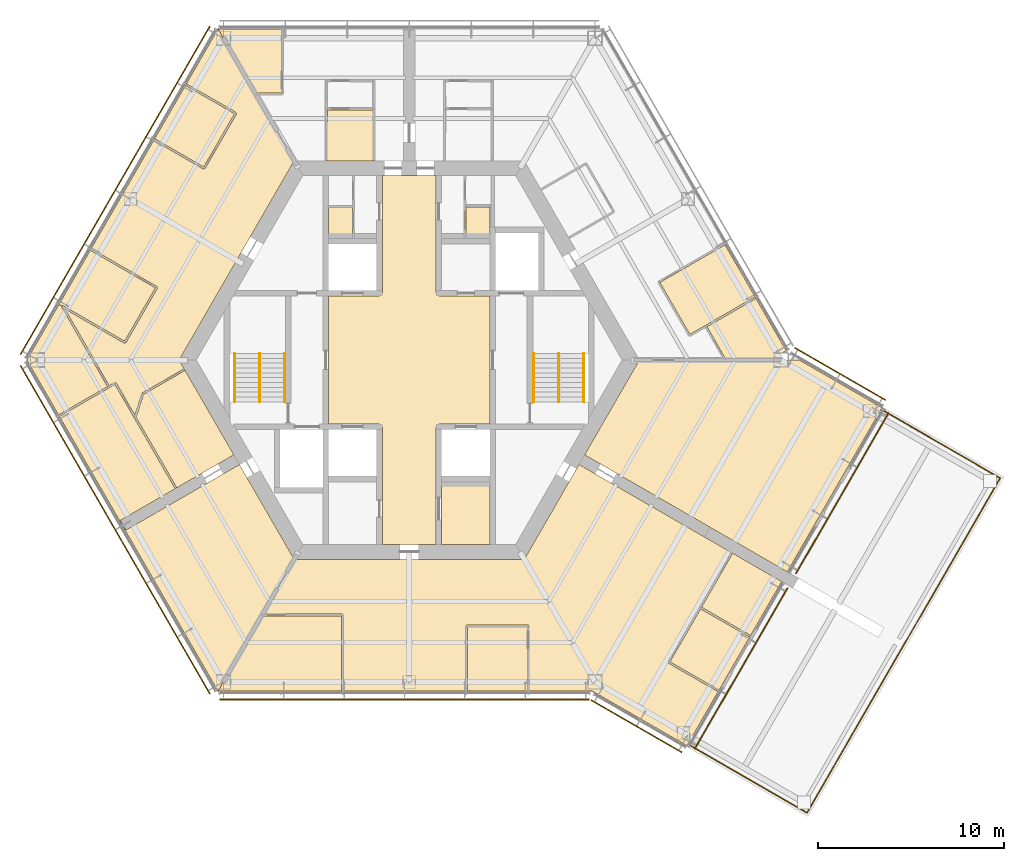
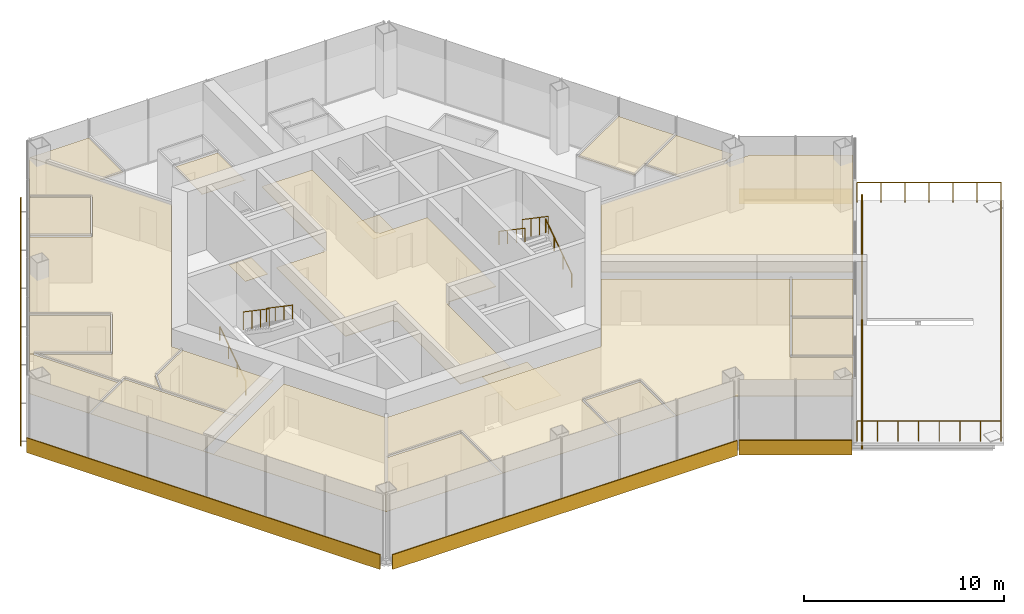
# One storey, part 12 of 13: 21 coverings, 7 railings, 7 shading devices.
"""IFC4 building model written with IfcOpenShell, lengths in metres."""

from ifc_helpers import new_model, si_unit, direction, frame, origin, origin_2d, place, context, subcontext, project, spatial, polyline, rectangle, circle, outline, extrude, material, layer, layer_set, type_object, element, save


model = new_model("IFC4")

# Units and contexts
model_context = context("Model", 3, precision=1e-05, world=origin(), true_north=direction((0.0, 1.0)))
body_context = subcontext(model_context, "Body", "Model", "MODEL_VIEW")
ifc_project = project(units=[si_unit("LENGTHUNIT", "METRE"), si_unit("AREAUNIT", "SQUARE_METRE"), si_unit("VOLUMEUNIT", "CUBIC_METRE"), si_unit("PLANEANGLEUNIT", "RADIAN"), si_unit("MASSUNIT", "GRAM", prefix="KILO")], contexts=[model_context])

# Site, building, storey
site_placement = place(None, origin())
site = spatial("IfcSite", under=ifc_project, at=site_placement, CompositionType="ELEMENT")
building_placement = place(site_placement, origin())
building = spatial("IfcBuilding", under=site, at=building_placement, Name="Kasaneha Research Tower", CompositionType="ELEMENT")
storey_placement = place(building_placement, frame((0.0, 0.0, 267.39990234375)))
storey = spatial("IfcBuildingStorey", under=building, at=storey_placement, Name="L67", CompositionType="ELEMENT", Elevation=267.39990234375)

# Covering
ifc_material_1 = material(Name="Aluminium panel ceiling", Category="aluminium")
ifc_layer_1 = layer(ifc_material_1, 0.0400390625)
ifc_layer_set_1 = layer_set([ifc_layer_1], Name="Lift lobby ceiling 40")
covering_type_1 = type_object("IfcCoveringType", Name="Lift lobby ceiling 40", PredefinedType="CEILING", material=ifc_layer_set_1)
covering_1_placement = place(storey_placement, frame((0.0, 0.0, 2.7001953125)))
element("IfcCovering", 1, at=covering_1_placement, inside=storey, type_object=covering_type_1, Name="Ceiling L67-01", PredefinedType="CEILING", context=body_context, shape_type="SweptSolid", body=[
    extrude(outline(polyline([(1.449951171875, 9.925048828125), (1.449951171875, 3.60009765625), (1.60009765625, 3.60009765625), (1.60009765625, 3.449951171875), (4.35009765625, 3.449951171875), (4.35009765625, -3.449951171875), (1.60009765625, -3.449951171875), (1.60009765625, -3.60009765625), (1.449951171875, -3.60009765625), (1.449951171875, -9.925048828125), (-1.449951171875, -9.925048828125), (-1.449951171875, -3.60009765625), (-1.60009765625, -3.60009765625), (-1.60009765625, -3.449951171875), (-4.35009765625, -3.449951171875), (-4.35009765625, 3.449951171875), (-1.60009765625, 3.449951171875), (-1.60009765625, 3.60009765625), (-1.449951171875, 3.60009765625), (-1.449951171875, 9.925048828125), (1.449951171875, 9.925048828125)])), origin(), (0.0, 0.0, 1.0), 0.039794921875),
])

# Railings
ifc_material_2 = material(Name="Steel", Category="steel")
railing_type_1 = type_object("IfcRailingType", Name="Stair balustrade 1100", PredefinedType="GUARDRAIL", material=ifc_material_2)
for number, where, name in (
    (2, (8.050048828125, 0.35009765625, 2.12744140625), "Stair 1 balustrade L67"),
    (3, (-8.050048828125, 0.35009765625, 2.12744140625), "Stair 2 balustrade L67"),
):
    element("IfcRailing", number, at=place(storey_placement, frame(where)), inside=storey, type_object=railing_type_1, Name=name, PredefinedType="GUARDRAIL", context=body_context, shape_type="SweptSolid", body=[
        extrude(circle(Radius=0.02392578125, at=origin_2d()), frame((0.0, 0.0, 1.076171875), z_axis=(0.0, -0.826240473404, 0.563317565952), x_axis=(1.0, 0.0, 0.0)), (0.0, 0.0, 1.0), 3.14697265625),
        extrude(circle(Radius=0.02099609375, at=origin_2d()), origin(), (0.0, 0.0, 1.0), 1.052001953125),
        extrude(circle(Radius=0.02099609375, at=origin_2d()), frame((0.0, -0.86669921875, 0.5908203125)), (0.0, 0.0, 1.0), 1.052001953125),
        extrude(circle(Radius=0.02099609375, at=origin_2d()), frame((0.0, -1.7333984375, 1.181884765625)), (0.0, 0.0, 1.0), 1.052001953125),
        extrude(circle(Radius=0.02099609375, at=origin_2d()), frame((0.0, -2.60009765625, 1.772705078125)), (0.0, 0.0, 1.0), 1.052001953125),
    ])
ifc_material_3 = material(Name="Steel", Category="steel")
railing_type_2 = type_object("IfcRailingType", Name="Stair handrail 850", PredefinedType="HANDRAIL", material=ifc_material_3)
railing_1_placement = place(storey_placement, frame((9.39990234375, -2.25, 0.177490234375)))
element("IfcRailing", 4, at=railing_1_placement, inside=storey, type_object=railing_type_2, Name="Stair 1 handrail L67", PredefinedType="HANDRAIL", context=body_context, shape_type="SweptSolid", body=[
    extrude(circle(Radius=0.02392578125, at=origin_2d()), frame((0.0, 0.0, 0.826171875), z_axis=(0.0, 0.826240473404, 0.563317565952), x_axis=(-1.0, 0.0, 0.0)), (0.0, 0.0, 1.0), 3.14697265625),
    extrude(circle(Radius=0.02099609375, at=origin_2d()), origin(), (0.0, 0.0, 1.0), 0.802001953125),
    extrude(circle(Radius=0.02099609375, at=origin_2d()), frame((0.0, 0.86669921875, 0.5908203125)), (0.0, 0.0, 1.0), 0.802001953125),
    extrude(circle(Radius=0.02099609375, at=origin_2d()), frame((0.0, 1.7333984375, 1.181884765625)), (0.0, 0.0, 1.0), 0.802001953125),
    extrude(circle(Radius=0.02099609375, at=origin_2d()), frame((0.0, 2.60009765625, 1.772705078125)), (0.0, 0.0, 1.0), 0.802001953125),
])
railing_2_placement = place(storey_placement, frame((6.699951171875, 0.35009765625, 2.12744140625)))
element("IfcRailing", 5, at=railing_2_placement, inside=storey, type_object=railing_type_2, Name="Stair 1 handrail L67", PredefinedType="HANDRAIL", context=body_context, shape_type="SweptSolid", body=[
    extrude(circle(Radius=0.02392578125, at=origin_2d()), frame((0.0, 0.0, 0.826171875), z_axis=(0.0, -0.826240473404, 0.563317565952), x_axis=(1.0, 0.0, 0.0)), (0.0, 0.0, 1.0), 3.14697265625),
    extrude(circle(Radius=0.02099609375, at=origin_2d()), origin(), (0.0, 0.0, 1.0), 0.802001953125),
    extrude(circle(Radius=0.02099609375, at=origin_2d()), frame((0.0, -0.86669921875, 0.5908203125)), (0.0, 0.0, 1.0), 0.802001953125),
    extrude(circle(Radius=0.02099609375, at=origin_2d()), frame((0.0, -1.7333984375, 1.181884765625)), (0.0, 0.0, 1.0), 0.802001953125),
    extrude(circle(Radius=0.02099609375, at=origin_2d()), frame((0.0, -2.60009765625, 1.772705078125)), (0.0, 0.0, 1.0), 0.802001953125),
])
railing_3_placement = place(storey_placement, frame((-9.39990234375, -2.25, 0.177490234375)))
element("IfcRailing", 6, at=railing_3_placement, inside=storey, type_object=railing_type_2, Name="Stair 2 handrail L67", PredefinedType="HANDRAIL", context=body_context, shape_type="SweptSolid", body=[
    extrude(circle(Radius=0.02392578125, at=origin_2d()), frame((0.0, 0.0, 0.826171875), z_axis=(0.0, 0.826240473404, 0.563317565952), x_axis=(-1.0, 0.0, 0.0)), (0.0, 0.0, 1.0), 3.14697265625),
    extrude(circle(Radius=0.02099609375, at=origin_2d()), origin(), (0.0, 0.0, 1.0), 0.802001953125),
    extrude(circle(Radius=0.02099609375, at=origin_2d()), frame((0.0, 0.86669921875, 0.5908203125)), (0.0, 0.0, 1.0), 0.802001953125),
    extrude(circle(Radius=0.02099609375, at=origin_2d()), frame((0.0, 1.7333984375, 1.181884765625)), (0.0, 0.0, 1.0), 0.802001953125),
    extrude(circle(Radius=0.02099609375, at=origin_2d()), frame((0.0, 2.60009765625, 1.772705078125)), (0.0, 0.0, 1.0), 0.802001953125),
])
railing_4_placement = place(storey_placement, frame((-6.699951171875, 0.35009765625, 2.12744140625)))
element("IfcRailing", 7, at=railing_4_placement, inside=storey, type_object=railing_type_2, Name="Stair 2 handrail L67", PredefinedType="HANDRAIL", context=body_context, shape_type="SweptSolid", body=[
    extrude(circle(Radius=0.02392578125, at=origin_2d()), frame((0.0, 0.0, 0.826171875), z_axis=(0.0, -0.826240473404, 0.563317565952), x_axis=(1.0, 0.0, 0.0)), (0.0, 0.0, 1.0), 3.14697265625),
    extrude(circle(Radius=0.02099609375, at=origin_2d()), origin(), (0.0, 0.0, 1.0), 0.802001953125),
    extrude(circle(Radius=0.02099609375, at=origin_2d()), frame((0.0, -0.86669921875, 0.5908203125)), (0.0, 0.0, 1.0), 0.802001953125),
    extrude(circle(Radius=0.02099609375, at=origin_2d()), frame((0.0, -1.7333984375, 1.181884765625)), (0.0, 0.0, 1.0), 0.802001953125),
    extrude(circle(Radius=0.02099609375, at=origin_2d()), frame((0.0, -2.60009765625, 1.772705078125)), (0.0, 0.0, 1.0), 0.802001953125),
])

# Coverings
ifc_material_4 = material(Name="Gypsum ceiling board", Category="gypsum")
ifc_layer_2 = layer(ifc_material_4, 0.02001953125)
ifc_layer_set_2 = layer_set([ifc_layer_2], Name="Suspended ceiling 20")
covering_type_2 = type_object("IfcCoveringType", Name="Suspended ceiling 20", PredefinedType="CEILING", material=ifc_layer_set_2)
covering_2_placement = place(storey_placement, frame((0.0, 0.0, 2.800048828125)))
element("IfcCovering", 8, at=covering_2_placement, inside=storey, type_object=covering_type_2, Name="Ceiling L67-29", PredefinedType="CEILING", context=body_context, shape_type="SweptSolid", body=[
    extrude(outline(polyline([(18.63720703125, 3.360595703125), (18.619873046875, 3.3505859375), (18.5947265625, 3.393798828125), (15.923095703125, 1.851318359375), (15.923095703125, 1.851318359375), (15.104736328125, 1.37890625), (13.4892578125, 4.177001953125), (16.988037109375, 6.197021484375), (16.963134765625, 6.240234375), (16.9716796875, 6.2451171875), (18.63720703125, 3.360595703125)])), origin(), (0.0, 0.0, 1.0), 0.02001953125),
])
covering_3_placement = place(storey_placement, frame((0.0, 0.0, 2.800048828125)))
element("IfcCovering", 9, at=covering_3_placement, inside=storey, type_object=covering_type_2, Name="Ceiling L67-30", PredefinedType="CEILING", context=body_context, shape_type="SweptSolid", body=[
    extrude(outline(polyline([(16.997802734375, 0.0), (16.986328125, 0.02001953125), (17.029541015625, 0.044921875), (16.024658203125, 1.79443359375), (18.644775390625, 3.30712890625), (18.619873046875, 3.3505859375), (18.63720703125, 3.360595703125), (20.28759765625, 0.501708984375), (19.41845703125, 0.0), (16.997802734375, 0.0)])), origin(), (0.0, 0.0, 1.0), 0.02001953125),
])
covering_4_placement = place(storey_placement, frame((0.0, 0.0, 2.800048828125)))
element("IfcCovering", 10, at=covering_4_placement, inside=storey, type_object=covering_type_2, Name="Ceiling L67-32", PredefinedType="CEILING", context=body_context, shape_type="SweptSolid", body=[
    extrude(outline(polyline([(-4.465087890625, 10.72509765625), (-4.465087890625, 10.7451171875), (-4.4150390625, 10.744873046875), (-4.410400390625, 13.469970703125), (-1.95458984375, 13.469970703125), (-1.949951171875, 10.744873046875), (-1.89990234375, 10.7451171875), (-1.89990234375, 10.72509765625), (-4.465087890625, 10.72509765625)])), origin(), (0.0, 0.0, 1.0), 0.02001953125),
])
covering_5_placement = place(storey_placement, frame((0.0, 0.0, 2.800048828125)))
element("IfcCovering", 11, at=covering_5_placement, inside=storey, type_object=covering_type_2, Name="Ceiling L67-34", PredefinedType="CEILING", context=body_context, shape_type="SweptSolid", body=[
    extrude(outline(polyline([(-6.8310546875, 17.820556640625), (-6.8310546875, 17.800537109375), (-6.880859375, 17.800537109375), (-6.880859375, 14.37060546875), (-8.244873046875, 14.37060546875), (-8.244873046875, 14.320556640625), (-8.26806640625, 14.320556640625), (-10.28857421875, 17.820556640625), (-6.8310546875, 17.820556640625)])), origin(), (0.0, 0.0, 1.0), 0.02001953125),
])
covering_6_placement = place(storey_placement, frame((0.0, 0.0, 2.800048828125)))
element("IfcCovering", 12, at=covering_6_placement, inside=storey, type_object=covering_type_2, Name="Ceiling L67-36", PredefinedType="CEILING", context=body_context, shape_type="SweptSolid", body=[
    extrude(outline(polyline([(-17.140869140625, 5.952392578125), (-17.12353515625, 5.9423828125), (-17.1484375, 5.899169921875), (-13.658203125, 3.884033203125), (-15.316162109375, 1.0126953125), (-18.642578125, 2.933349609375), (-18.66748046875, 2.89013671875), (-18.848388671875, 2.994384765625), (-17.140869140625, 5.952392578125)])), origin(), (0.0, 0.0, 1.0), 0.02001953125),
])
covering_7_placement = place(storey_placement, frame((0.0, 0.0, 2.800048828125)))
element("IfcCovering", 13, at=covering_7_placement, inside=storey, type_object=covering_type_2, Name="Ceiling L67-37", PredefinedType="CEILING", context=body_context, shape_type="SweptSolid", body=[
    extrude(outline(polyline([(-15.539794921875, -8.62548828125), (-15.539794921875, -8.62548828125), (-15.3896484375, -8.88525390625), (-15.43310546875, -8.91015625), (-18.848388671875, -2.994384765625), (-18.83984375, -2.989501953125), (-18.81494140625, -3.03271484375), (-16.134521484375, -1.4853515625), (-16.134521484375, -1.4853515625), (-15.835693359375, -1.312744140625), (-14.79248046875, -3.11962890625), (-14.79248046875, -3.11962890625), (-12.605224609375, -6.908203125), (-12.56201171875, -6.883056640625), (-12.552001953125, -6.900390625), (-15.539794921875, -8.62548828125), (-15.539794921875, -8.62548828125)])), origin(), (0.0, 0.0, 1.0), 0.02001953125),
])
covering_8_placement = place(storey_placement, frame((0.0, 0.0, 2.800048828125)))
element("IfcCovering", 14, at=covering_8_placement, inside=storey, type_object=covering_type_2, Name="Ceiling L67-38", PredefinedType="CEILING", context=body_context, shape_type="SweptSolid", body=[
    extrude(outline(polyline([(-12.639892578125, -4.75732421875), (-10.387939453125, -3.457275390625), (-9.437744140625, -5.1025390625), (-12.5517578125, -6.900390625), (-12.561767578125, -6.883056640625), (-12.5185546875, -6.858154296875), (-14.69482421875, -3.0888671875), (-14.298828125, -1.845947265625), (-12.080322265625, -0.566162109375), (-12.10546875, -0.522705078125), (-12.088134765625, -0.5126953125), (-10.38818359375, -3.457275390625), (-12.639892578125, -4.75732421875)])), origin(), (0.0, 0.0, 1.0), 0.02001953125),
])
covering_9_placement = place(storey_placement, frame((0.0, 0.0, 2.800048828125)))
element("IfcCovering", 15, at=covering_9_placement, inside=storey, type_object=covering_type_2, Name="Ceiling L67-39", PredefinedType="CEILING", context=body_context, shape_type="SweptSolid", body=[
    extrude(outline(polyline([(-12.017578125, 14.825927734375), (-12.000244140625, 14.81591796875), (-12.025146484375, 14.772705078125), (-9.401123046875, 13.2578125), (-11.058837890625, 10.386474609375), (-13.691650390625, 11.906494140625), (-13.716552734375, 11.86328125), (-13.725341796875, 11.8681640625), (-12.017578125, 14.825927734375)])), origin(), (0.0, 0.0, 1.0), 0.02001953125),
])
covering_10_placement = place(storey_placement, frame((0.0, 0.0, 2.800048828125)))
element("IfcCovering", 16, at=covering_10_placement, inside=storey, type_object=covering_type_2, Name="Ceiling L67-40", PredefinedType="CEILING", context=body_context, shape_type="SweptSolid", body=[
    extrude(outline(polyline([(-18.8486328125, 2.99462890625), (-18.667724609375, 2.889892578125), (-18.7109375, 2.864990234375), (-16.23583984375, -1.428466796875), (-18.864990234375, -2.9462890625), (-18.83984375, -2.989501953125), (-18.848388671875, -2.994384765625), (-20.577880859375, 0.000244140625), (-18.8486328125, 2.99462890625)])), origin(), (0.0, 0.0, 1.0), 0.02001953125),
])
covering_11_placement = place(storey_placement, frame((0.0, 0.0, 2.800048828125)))
element("IfcCovering", 17, at=covering_11_placement, inside=storey, type_object=covering_type_2, Name="Ceiling L67-41", PredefinedType="CEILING", context=body_context, shape_type="SweptSolid", body=[
    extrude(outline(polyline([(-14.340576171875, -1.812255859375), (-14.38818359375, -1.797119140625), (-14.762451171875, -2.9716796875), (-15.774169921875, -1.219482421875), (-15.81689453125, -1.244140625), (-15.817138671875, -1.244140625), (-15.8173828125, -1.244384765625), (-15.84228515625, -1.201171875), (-16.1494140625, -1.37841796875), (-18.53125, 2.75341796875), (-15.32275390625, 0.901123046875), (-15.298095703125, 0.944091796875), (-15.297607421875, 0.944091796875), (-15.297607421875, 0.9443359375), (-15.25439453125, 0.91943359375), (-13.546630859375, 3.87744140625), (-13.590087890625, 3.90234375), (-13.56494140625, 3.94580078125), (-17.098388671875, 5.985595703125), (-17.123291015625, 5.94287109375), (-17.140380859375, 5.952880859375), (-13.7255859375, 11.86767578125), (-13.716796875, 11.86279296875), (-13.74169921875, 11.81982421875), (-11.065673828125, 10.27490234375), (-11.040771484375, 10.31787109375), (-11.04052734375, 10.317626953125), (-11.040283203125, 10.31787109375), (-10.997314453125, 10.293212890625), (-9.28955078125, 13.2509765625), (-9.33251953125, 13.275634765625), (-9.33251953125, 13.27587890625), (-9.332763671875, 13.276123046875), (-9.307861328125, 13.3193359375), (-11.97509765625, 14.859375), (-12.0, 14.81640625), (-12.017333984375, 14.826416015625), (-10.28857421875, 17.820556640625), (-8.244873046875, 14.280517578125), (-8.244873046875, 14.2705078125), (-8.239013671875, 14.2705078125), (-6.192138671875, 10.72509765625), (-12.38427734375, 0.0), (-12.08837890625, -0.512451171875), (-12.105712890625, -0.522216796875), (-12.13037109375, -0.4794921875), (-14.365478515625, -1.76904296875), (-14.340576171875, -1.812255859375), (-14.340576171875, -1.812255859375), (-14.340576171875, -1.812255859375)])), origin(), (0.0, 0.0, 1.0), 0.02001953125),
])
covering_12_placement = place(storey_placement, frame((0.0, 0.0, 2.800048828125)))
element("IfcCovering", 18, at=covering_12_placement, inside=storey, type_object=covering_type_2, Name="Ceiling L67-42", PredefinedType="CEILING", context=body_context, shape_type="SweptSolid", body=[
    extrude(outline(polyline([(-10.004150390625, -6.122314453125), (-10.004150390625, -6.122314453125), (-9.50927734375, -5.836669921875), (-9.13818359375, -5.622314453125), (-6.192138671875, -10.72509765625), (-7.89208984375, -13.66943359375), (-7.89794921875, -13.66943359375), (-7.89794921875, -13.679443359375), (-10.28857421875, -17.820556640625), (-15.43310546875, -8.91015625), (-15.3896484375, -8.88525390625), (-15.23974609375, -9.14501953125), (-10.004150390625, -6.122314453125)])), origin(), (0.0, 0.0, 1.0), 0.02001953125),
])
covering_13_placement = place(storey_placement, frame((0.0, 0.0, 2.800048828125)))
element("IfcCovering", 19, at=covering_13_placement, inside=storey, type_object=covering_type_2, Name="Ceiling L67-43", PredefinedType="CEILING", context=body_context, shape_type="SweptSolid", body=[
    extrude(outline(polyline([(11.170166015625, -6.102783203125), (10.30419921875, -5.602783203125), (10.227783203125, -5.55859375), (9.438232421875, -5.102783203125), (12.38427734375, 0.0), (16.93994140625, 0.0), (16.94287109375, -0.0048828125), (16.951416015625, 0.0), (21.0, 0.0), (25.446044921875, -2.56689453125), (20.34619140625, -11.400390625), (12.1259765625, -6.654541015625), (11.170166015625, -6.102783203125)])), origin(), (0.0, 0.0, 1.0), 0.02001953125),
])
covering_14_placement = place(storey_placement, frame((0.0, 0.0, 2.800048828125)))
element("IfcCovering", 20, at=covering_14_placement, inside=storey, type_object=covering_type_2, Name="Ceiling L67-44", PredefinedType="CEILING", context=body_context, shape_type="SweptSolid", body=[
    extrude(outline(polyline([(-10.2890625, -17.820556640625), (-7.921142578125, -13.719482421875), (-7.89794921875, -13.719482421875), (-7.89794921875, -13.76953125), (-3.634521484375, -13.7705078125), (-3.634521484375, -17.800537109375), (-3.58447265625, -17.800537109375), (-3.58447265625, -17.820556640625), (-6.916015625, -17.821044921875), (-10.2890625, -17.820556640625)])), origin(), (0.0, 0.0, 1.0), 0.02001953125),
])
covering_15_placement = place(storey_placement, frame((0.0, 0.0, 2.800048828125)))
element("IfcCovering", 21, at=covering_15_placement, inside=storey, type_object=covering_type_2, Name="Ceiling L67-45", PredefinedType="CEILING", context=body_context, shape_type="SweptSolid", body=[
    extrude(outline(polyline([(3.077392578125, -17.820556640625), (3.077392578125, -17.800537109375), (3.12744140625, -17.800537109375), (3.12744140625, -14.37060546875), (6.3583984375, -14.37060546875), (6.3583984375, -17.800537109375), (6.408203125, -17.800537109375), (6.408203125, -17.820556640625), (3.077392578125, -17.820556640625)])), origin(), (0.0, 0.0, 1.0), 0.02001953125),
])
covering_16_placement = place(storey_placement, frame((0.0, 0.0, 2.800048828125)))
element("IfcCovering", 22, at=covering_16_placement, inside=storey, type_object=covering_type_2, Name="Ceiling L67-46", PredefinedType="CEILING", context=body_context, shape_type="SweptSolid", body=[
    extrude(outline(polyline([(16.646240234375, -17.80908203125), (16.62890625, -17.799072265625), (16.65380859375, -17.755615234375), (14.02978515625, -16.24072265625), (15.68115234375, -13.389404296875), (18.303955078125, -14.89794921875), (18.328857421875, -14.8544921875), (18.34619140625, -14.864501953125), (16.646240234375, -17.80908203125)])), origin(), (0.0, 0.0, 1.0), 0.02001953125),
])
covering_17_placement = place(storey_placement, frame((0.0, 0.0, 2.800048828125)))
element("IfcCovering", 23, at=covering_17_placement, inside=storey, type_object=covering_type_2, Name="Ceiling L67-47", PredefinedType="CEILING", context=body_context, shape_type="SweptSolid", body=[
    extrude(outline(polyline([(18.34619140625, -14.864501953125), (18.328857421875, -14.8544921875), (18.353759765625, -14.811279296875), (15.731201171875, -13.302734375), (17.394775390625, -10.412353515625), (17.3515625, -10.387451171875), (17.361572265625, -10.3701171875), (20.046142578125, -11.920166015625), (18.34619140625, -14.864501953125)])), origin(), (0.0, 0.0, 1.0), 0.02001953125),
])
covering_18_placement = place(storey_placement, frame((0.0, 0.0, 2.800048828125)))
element("IfcCovering", 24, at=covering_18_placement, inside=storey, type_object=covering_type_2, Name="Ceiling L67-48", PredefinedType="CEILING", context=body_context, shape_type="SweptSolid", body=[
    extrude(outline(polyline([(9.13818359375, -5.622314453125), (10.004150390625, -6.122314453125), (10.004150390625, -6.122314453125), (10.8701171875, -6.622314453125), (10.8701171875, -6.622314453125), (17.361083984375, -10.369873046875), (17.35107421875, -10.38720703125), (17.30810546875, -10.362548828125), (15.6220703125, -13.291748046875), (13.918212890625, -16.23388671875), (13.961181640625, -16.2587890625), (13.9609375, -16.259033203125), (13.96142578125, -16.25927734375), (13.9365234375, -16.30224609375), (16.603759765625, -17.84228515625), (16.62841796875, -17.799560546875), (16.64599609375, -17.8095703125), (14.946044921875, -20.75341796875), (9.865966796875, -17.820556640625), (6.40869140625, -17.820556640625), (6.40869140625, -17.800537109375), (6.458251953125, -17.800537109375), (6.458251953125, -14.320556640625), (6.408447265625, -14.320556640625), (6.408447265625, -14.320068359375), (6.408203125, -14.320068359375), (6.408203125, -14.2705078125), (3.077392578125, -14.2705078125), (3.077392578125, -14.320068359375), (3.077392578125, -14.320068359375), (3.077392578125, -14.320556640625), (3.02734375, -14.320556640625), (3.02734375, -17.800537109375), (3.076904296875, -17.800537109375), (3.076904296875, -17.820556640625), (-3.583984375, -17.820556640625), (-3.583984375, -17.800537109375), (-3.534423828125, -17.800537109375), (-3.534423828125, -13.720458984375), (-3.584228515625, -13.720458984375), (-3.584228515625, -13.72021484375), (-3.58447265625, -13.72021484375), (-3.58447265625, -13.67041015625), (-7.89208984375, -13.66943359375), (-6.192138671875, -10.72509765625), (6.192138671875, -10.72509765625), (9.13818359375, -5.622314453125)])), origin(), (0.0, 0.0, 1.0), 0.02001953125),
])

# Railing
ifc_material_5 = material(Name="Steel and laminated glass", Category="steel")
railing_type_3 = type_object("IfcRailingType", Name="Terrace guard 1250", PredefinedType="GUARDRAIL", material=ifc_material_5)
railing_5_placement = place(storey_placement, frame((25.5693359375, -2.753662109375, 0.0)))
element("IfcRailing", 25, at=railing_5_placement, inside=storey, type_object=railing_type_3, Name="Terrace guard C L67", PredefinedType="GUARDRAIL", context=body_context, shape_type="SweptSolid", body=[
    extrude(circle(Radius=0.02392578125, at=origin_2d()), frame((0.0, 0.0, 1.22607421875), z_axis=(0.866033125095, -0.499986626058, 0.0), x_axis=(0.499986626058, 0.866033125095, 0.0)), (0.0, 0.0, 1.0), 7.199951171875),
    extrude(circle(Radius=0.02392578125, at=origin_2d()), frame((6.2353515625, -3.599853515625, 1.22607421875), z_axis=(-0.499994410779, -0.866028630699, 0.0), x_axis=(0.866028630699, -0.499994410779, 0.0)), (0.0, 0.0, 1.0), 20.800048828125),
    extrude(circle(Radius=0.02392578125, at=origin_2d()), frame((-4.16455078125, -21.61328125, 1.22607421875), z_axis=(-0.866018442252, 0.500012057535, 0.0), x_axis=(-0.500012057535, -0.866018442252, 0.0)), (0.0, 0.0, 1.0), 7.199951171875),
    extrude(circle(Radius=0.02099609375, at=origin_2d()), origin(), (0.0, 0.0, 1.0), 1.201904296875),
    extrude(circle(Radius=0.02099609375, at=origin_2d()), frame((1.039306640625, -0.60009765625, 0.0)), (0.0, 0.0, 1.0), 1.201904296875),
    extrude(circle(Radius=0.02099609375, at=origin_2d()), frame((2.078369140625, -1.199951171875, 0.0)), (0.0, 0.0, 1.0), 1.201904296875),
    extrude(circle(Radius=0.02099609375, at=origin_2d()), frame((3.11767578125, -1.7998046875, 0.0)), (0.0, 0.0, 1.0), 1.201904296875),
    extrude(circle(Radius=0.02099609375, at=origin_2d()), frame((4.156982421875, -2.39990234375, 0.0)), (0.0, 0.0, 1.0), 1.201904296875),
    extrude(circle(Radius=0.02099609375, at=origin_2d()), frame((5.196044921875, -3.0, 0.0)), (0.0, 0.0, 1.0), 1.201904296875),
    extrude(circle(Radius=0.02099609375, at=origin_2d()), frame((6.2353515625, -3.599853515625, 0.0)), (0.0, 0.0, 1.0), 1.201904296875),
    extrude(circle(Radius=0.02099609375, at=origin_2d()), frame((5.657470703125, -4.6005859375, 0.0)), (0.0, 0.0, 1.0), 1.201904296875),
    extrude(circle(Radius=0.02099609375, at=origin_2d()), frame((5.079833984375, -5.601318359375, 0.0)), (0.0, 0.0, 1.0), 1.201904296875),
    extrude(circle(Radius=0.02099609375, at=origin_2d()), frame((4.501953125, -6.60205078125, 0.0)), (0.0, 0.0, 1.0), 1.201904296875),
    extrude(circle(Radius=0.02099609375, at=origin_2d()), frame((3.92431640625, -7.602783203125, 0.0)), (0.0, 0.0, 1.0), 1.201904296875),
    extrude(circle(Radius=0.02099609375, at=origin_2d()), frame((3.346435546875, -8.603515625, 0.0)), (0.0, 0.0, 1.0), 1.201904296875),
    extrude(circle(Radius=0.02099609375, at=origin_2d()), frame((2.768798828125, -9.604248046875, 0.0)), (0.0, 0.0, 1.0), 1.201904296875),
    extrude(circle(Radius=0.02099609375, at=origin_2d()), frame((2.19091796875, -10.60498046875, 0.0)), (0.0, 0.0, 1.0), 1.201904296875),
    extrude(circle(Radius=0.02099609375, at=origin_2d()), frame((1.61328125, -11.605712890625, 0.0)), (0.0, 0.0, 1.0), 1.201904296875),
    extrude(circle(Radius=0.02099609375, at=origin_2d()), frame((1.035400390625, -12.6064453125, 0.0)), (0.0, 0.0, 1.0), 1.201904296875),
    extrude(circle(Radius=0.02099609375, at=origin_2d()), frame((0.45751953125, -13.607421875, 0.0)), (0.0, 0.0, 1.0), 1.201904296875),
    extrude(circle(Radius=0.02099609375, at=origin_2d()), frame((-0.1201171875, -14.608154296875, 0.0)), (0.0, 0.0, 1.0), 1.201904296875),
    extrude(circle(Radius=0.02099609375, at=origin_2d()), frame((-0.697998046875, -15.60888671875, 0.0)), (0.0, 0.0, 1.0), 1.201904296875),
    extrude(circle(Radius=0.02099609375, at=origin_2d()), frame((-1.275634765625, -16.609619140625, 0.0)), (0.0, 0.0, 1.0), 1.201904296875),
    extrude(circle(Radius=0.02099609375, at=origin_2d()), frame((-1.853515625, -17.6103515625, 0.0)), (0.0, 0.0, 1.0), 1.201904296875),
    extrude(circle(Radius=0.02099609375, at=origin_2d()), frame((-2.43115234375, -18.611083984375, 0.0)), (0.0, 0.0, 1.0), 1.201904296875),
    extrude(circle(Radius=0.02099609375, at=origin_2d()), frame((-3.009033203125, -19.61181640625, 0.0)), (0.0, 0.0, 1.0), 1.201904296875),
    extrude(circle(Radius=0.02099609375, at=origin_2d()), frame((-3.586669921875, -20.612548828125, 0.0)), (0.0, 0.0, 1.0), 1.201904296875),
    extrude(circle(Radius=0.02099609375, at=origin_2d()), frame((-4.16455078125, -21.61328125, 0.0)), (0.0, 0.0, 1.0), 1.201904296875),
    extrude(circle(Radius=0.02099609375, at=origin_2d()), frame((-5.055419921875, -21.098876953125, 0.0)), (0.0, 0.0, 1.0), 1.201904296875),
    extrude(circle(Radius=0.02099609375, at=origin_2d()), frame((-5.946044921875, -20.584716796875, 0.0)), (0.0, 0.0, 1.0), 1.201904296875),
    extrude(circle(Radius=0.02099609375, at=origin_2d()), frame((-6.8369140625, -20.0703125, 0.0)), (0.0, 0.0, 1.0), 1.201904296875),
    extrude(circle(Radius=0.02099609375, at=origin_2d()), frame((-7.7275390625, -19.55615234375, 0.0)), (0.0, 0.0, 1.0), 1.201904296875),
    extrude(circle(Radius=0.02099609375, at=origin_2d()), frame((-8.618408203125, -19.041748046875, 0.0)), (0.0, 0.0, 1.0), 1.201904296875),
    extrude(circle(Radius=0.02099609375, at=origin_2d()), frame((-9.509033203125, -18.527587890625, 0.0)), (0.0, 0.0, 1.0), 1.201904296875),
    extrude(circle(Radius=0.02099609375, at=origin_2d()), frame((-10.39990234375, -18.01318359375, 0.0)), (0.0, 0.0, 1.0), 1.201904296875),
])

# Shading devices
ifc_material_6 = material(Name="Terracotta", Category="masonry")
ifc_layer_3 = layer(ifc_material_6, 0.06005859375)
ifc_layer_set_3 = layer_set([ifc_layer_3], Name="Terracotta baguette screen")
shading_device_type = type_object("IfcShadingDeviceType", Name="Terracotta baguette screen", PredefinedType="USERDEFINED", material=ifc_layer_set_3)
for number, where, z_axis, x_axis, name in (
    (26, (-15.82275390625, 9.13525390625, -0.449951171875), (0.0, 0.0, 1.0), (-0.499999995722, -0.866025406254, 0.0), "Baguette screen L67 03"),
    (27, (-15.82275390625, -9.13525390625, -0.449951171875), (0.0, 0.0, 1.0), (0.499999995722, -0.866025406254, 0.0), "Baguette screen L67 04"),
):
    element("IfcShadingDevice", number, at=place(storey_placement, frame(where, z_axis=z_axis, x_axis=x_axis)), inside=storey, type_object=shading_device_type, Name=name, ObjectType="TERRACOTTA BAGUETTE SCREEN", PredefinedType="USERDEFINED", context=body_context, shape_type="SweptSolid", body=[
        extrude(rectangle(XDim=20.392822265625, YDim=0.06005859375, at=origin_2d()), origin(), (0.0, 0.0, 1.0), 0.89990234375),
    ])
shading_device_1_placement = place(storey_placement, frame((-0.253662109375, -18.2705078125, -0.449951171875), z_axis=(0.0, 0.0, 1.0), x_axis=(1.0, 0.0, 0.0)))
element("IfcShadingDevice", 28, at=shading_device_1_placement, inside=storey, type_object=shading_device_type, Name="Baguette screen L67 05", ObjectType="TERRACOTTA BAGUETTE SCREEN", PredefinedType="USERDEFINED", context=body_context, shape_type="SweptSolid", body=[
    extrude(rectangle(XDim=19.8857421875, YDim=0.06005859375, at=origin_2d()), origin(), (0.0, 0.0, 1.0), 0.89990234375),
])
shading_device_2_placement = place(storey_placement, frame((12.236083984375, -19.70849609375, -0.449951171875), z_axis=(0.0, 0.0, 1.0), x_axis=(0.866025443395, -0.499999931393, 0.0)))
element("IfcShadingDevice", 29, at=shading_device_2_placement, inside=storey, type_object=shading_device_type, Name="Baguette screen L67 06", ObjectType="TERRACOTTA BAGUETTE SCREEN", PredefinedType="USERDEFINED", context=body_context, shape_type="SweptSolid", body=[
    extrude(rectangle(XDim=5.63916015625, YDim=0.06005859375, at=origin_2d()), origin(), (0.0, 0.0, 1.0), 0.89990234375),
])
for number, where, z_axis, x_axis, name in (
    (30, (17.86083984375, -16.60498046875, -0.449951171875), (0.0, 0.0, 1.0), (0.500000011442, 0.866025397178, 0.0), "Baguette screen L67 07"),
    (31, (23.310791015625, -7.16552734375, -0.449951171875), (0.0, 0.0, 1.0), (0.500000011442, 0.866025397178, 0.0), "Baguette screen L67 08"),
):
    element("IfcShadingDevice", number, at=place(storey_placement, frame(where, z_axis=z_axis, x_axis=x_axis)), inside=storey, type_object=shading_device_type, Name=name, ObjectType="TERRACOTTA BAGUETTE SCREEN", PredefinedType="USERDEFINED", context=body_context, shape_type="SweptSolid", body=[
        extrude(rectangle(XDim=10.0, YDim=0.06005859375, at=origin_2d()), origin(), (0.0, 0.0, 1.0), 0.89990234375),
    ])
shading_device_3_placement = place(storey_placement, frame((23.18603515625, -0.742431640625, -0.449951171875), z_axis=(0.0, 0.0, 1.0), x_axis=(-0.866025443395, 0.499999931393, 0.0)))
element("IfcShadingDevice", 32, at=shading_device_3_placement, inside=storey, type_object=shading_device_type, Name="Baguette screen L67 09", ObjectType="TERRACOTTA BAGUETTE SCREEN", PredefinedType="USERDEFINED", context=body_context, shape_type="SweptSolid", body=[
    extrude(rectangle(XDim=5.63916015625, YDim=0.06005859375, at=origin_2d()), origin(), (0.0, 0.0, 1.0), 0.89990234375),
])

# Coverings
ifc_material_7 = material(Name="Vinyl sheet flooring", Category="plastic")
ifc_layer_4 = layer(ifc_material_7, 0.0048828125)
ifc_layer_set_4 = layer_set([ifc_layer_4], Name="Wet room sheet flooring 5")
covering_type_3 = type_object("IfcCoveringType", Name="Wet room sheet flooring 5", PredefinedType="FLOORING", material=ifc_layer_set_4)
covering_19_placement = place(storey_placement, origin())
element("IfcCovering", 33, at=covering_19_placement, inside=storey, type_object=covering_type_3, Name="Floor finish L67-07", PredefinedType="FLOORING", context=body_context, shape_type="SweptSolid", body=[
    extrude(outline(polyline([(-4.35009765625, 6.550048828125), (-4.35009765625, 8.209716796875), (-3.050048828125, 8.209716796875), (-3.050048828125, 6.550048828125), (-4.35009765625, 6.550048828125)])), origin(), (0.0, 0.0, 1.0), 0.005126953125),
])
covering_20_placement = place(storey_placement, origin())
element("IfcCovering", 34, at=covering_20_placement, inside=storey, type_object=covering_type_3, Name="Floor finish L67-10", PredefinedType="FLOORING", context=body_context, shape_type="SweptSolid", body=[
    extrude(outline(polyline([(3.050048828125, 6.550048828125), (3.050048828125, 8.25), (4.35009765625, 8.25), (4.35009765625, 7.0), (4.35009765625, 6.550048828125), (3.050048828125, 6.550048828125)])), origin(), (0.0, 0.0, 1.0), 0.005126953125),
])
covering_21_placement = place(storey_placement, origin())
element("IfcCovering", 35, at=covering_21_placement, inside=storey, type_object=covering_type_3, Name="Floor finish L67-13", PredefinedType="FLOORING", context=body_context, shape_type="SweptSolid", body=[
    extrude(outline(polyline([(1.75, -9.925048828125), (1.75, -6.550048828125), (4.35009765625, -6.550048828125), (4.35009765625, -9.925048828125), (1.75, -9.925048828125)])), origin(), (0.0, 0.0, 1.0), 0.005126953125),
])

save(model, "model.ifc")
